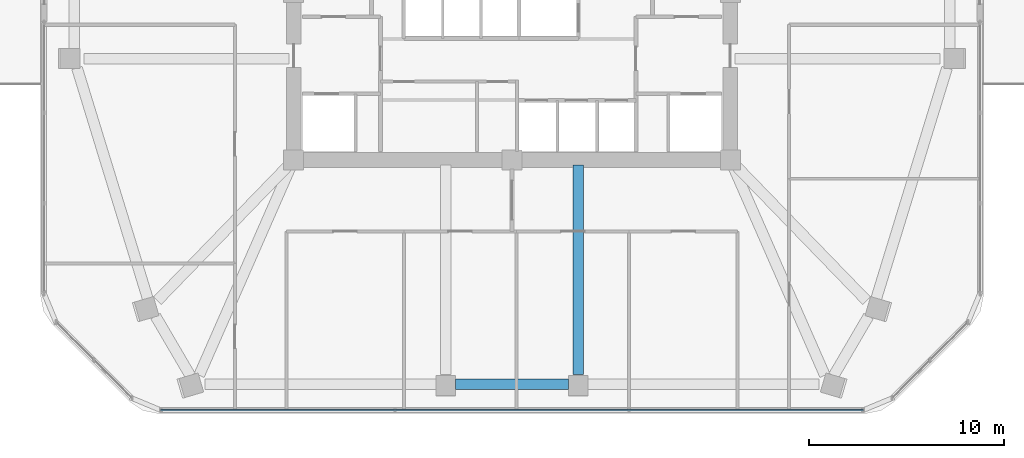
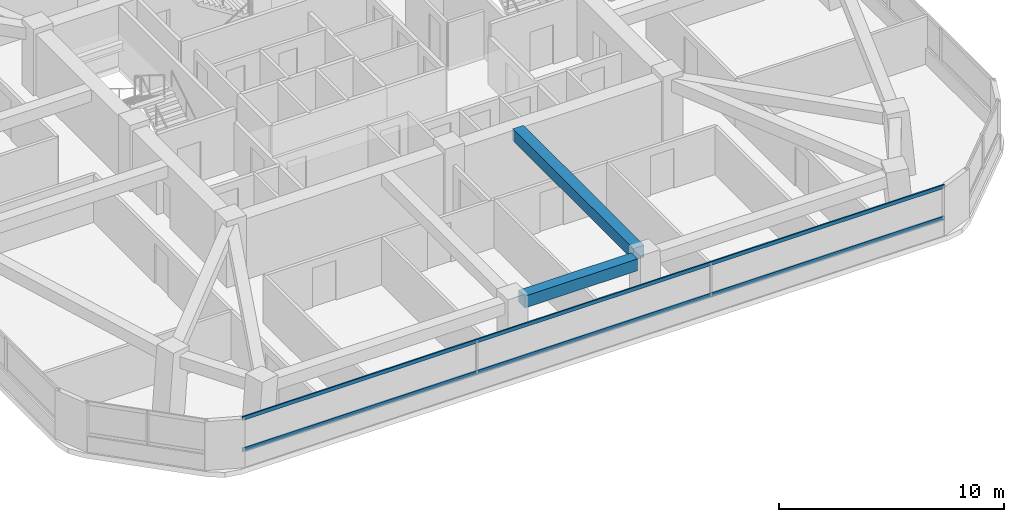
# One storey, part 3 of 14: 2 beams, 2 members, 1 element without a shape of its own.
"""IFC4 building model written with IfcOpenShell, lengths in metres."""

from ifc_helpers import new_model, si_unit, derived_unit, direction, frame, origin, origin_2d, place, context, subcontext, project, spatial, rectangle, extrude, material, material_profile, profile_set, type_object, element, aggregate, save


model = new_model("IFC4")

# Units and contexts
model_context = context("Model", 3, precision=1e-05, world=origin(), true_north=direction((0.0, 1.0)))
body_context = subcontext(model_context, "Body", "Model", "MODEL_VIEW")
ifc_project = project(units=[si_unit("LENGTHUNIT", "METRE"), si_unit("AREAUNIT", "SQUARE_METRE"), si_unit("VOLUMEUNIT", "CUBIC_METRE"), si_unit("PLANEANGLEUNIT", "RADIAN"), si_unit("MASSUNIT", "GRAM", prefix="KILO"), derived_unit("THERMALTRANSMITTANCEUNIT", [(si_unit("POWERUNIT", "WATT"), 1), (si_unit("LENGTHUNIT", "METRE"), -2), (si_unit("THERMODYNAMICTEMPERATUREUNIT", "KELVIN"), -1)])], contexts=[model_context])

# Site, building, storey
site_placement = place(None, origin())
site = spatial("IfcSite", under=ifc_project, at=site_placement, CompositionType="ELEMENT")
building_placement = place(site_placement, origin())
building = spatial("IfcBuilding", under=site, at=building_placement, Name="Koralith Skygarden Medical Center", CompositionType="ELEMENT")
storey_placement = place(building_placement, frame((0.0, 0.0, 120.780029296875)))
storey = spatial("IfcBuildingStorey", under=building, at=storey_placement, Name="L31", CompositionType="ELEMENT", Elevation=120.780029296875)

# Curtain wall, members
ifc_material_1 = material(Name="Clear Laminated Glass", Category="glass")
curtain_wall_type = type_object("IfcCurtainWallType", Name="CW-3 Zone 2 Faceted Solar Curtain Wall", PredefinedType="NOTDEFINED", material=ifc_material_1)
curtain_wall_placement = place(storey_placement, origin())
curtain_wall = element("IfcCurtainWall", 1, at=curtain_wall_placement, inside=storey, type_object=curtain_wall_type, Name="Curtain Wall CW-L31-S", PredefinedType="NOTDEFINED")
ifc_material_2 = material(Name="Aluminium 6063-T6", Category="aluminium")
ifc_material_profile_1 = material_profile(ifc_material_2, rectangle(XDim=0.069091796875, YDim=0.197998046875, at=origin_2d()), Name="TRN69X198")
ifc_profile_set_1 = profile_set([ifc_material_profile_1], Name="Aluminium 6063-T6")
member_type = type_object("IfcMemberType", Name="CW-3 Thermal Transom 69x198", PredefinedType="USERDEFINED", material=ifc_profile_set_1)
member_1_placement = place(storey_placement, frame((18.97607421875, 4.47607421875, 0.89990234375), z_axis=(1.0, 0.0, 0.0), x_axis=(0.0, 1.0, 0.0)))
member_1 = element("IfcMember", 2, at=member_1_placement, type_object=member_type, Name="CW-L31-S Transom 1", ObjectType="TRANSOM", PredefinedType="USERDEFINED", context=body_context, shape_type="SweptSolid", body=[
    extrude(rectangle(XDim=0.069091796875, YDim=0.197998046875, at=origin_2d()), origin(), (0.0, 0.0, 1.0), 36.0478515625),
])
member_2_placement = place(storey_placement, frame((18.97607421875, 4.47607421875, 2.599853515625), z_axis=(1.0, 0.0, 0.0), x_axis=(0.0, 1.0, 0.0)))
member_2 = element("IfcMember", 3, at=member_2_placement, type_object=member_type, Name="CW-L31-S Transom 2", ObjectType="TRANSOM", PredefinedType="USERDEFINED", context=body_context, shape_type="SweptSolid", body=[
    extrude(rectangle(XDim=0.069091796875, YDim=0.197998046875, at=origin_2d()), origin(), (0.0, 0.0, 1.0), 36.0478515625),
])
aggregate(curtain_wall, [member_1, member_2])

# Beams
ifc_material_3 = material(Name="Concrete C45/55", Category="concrete")
ifc_material_profile_2 = material_profile(ifc_material_3, rectangle(XDim=0.550048828125, YDim=0.639892578125, at=origin_2d()), Name="RCB550X640")
ifc_profile_set_2 = profile_set([ifc_material_profile_2], Name="Concrete C45/55")
beam_type_1 = type_object("IfcBeamType", Name="Radial Collector Beam RCB550X640", PredefinedType="BEAM", material=ifc_profile_set_2)
beam_1_placement = place(storey_placement, frame((40.39990234375, 17.050048828125, 2.97998046875), z_axis=(0.0, -1.0, 0.0), x_axis=(1.0, 0.0, 0.0)))
element("IfcBeam", 4, at=beam_1_placement, inside=storey, type_object=beam_type_1, Name="L31 Radial Collector Beam RB-05", PredefinedType="BEAM", context=body_context, shape_type="SweptSolid", body=[
    extrude(rectangle(XDim=0.550048828125, YDim=0.639892578125, at=origin_2d()), origin(), (0.0, 0.0, 1.0), 10.7451171875),
])
ifc_material_profile_3 = material_profile(ifc_material_3, rectangle(XDim=0.550048828125, YDim=0.639892578125, at=origin_2d()), Name="RCB550X640")
ifc_profile_set_3 = profile_set([ifc_material_profile_3], Name="Concrete C45/55")
beam_type_2 = type_object("IfcBeamType", Name="Zone 2-3 Spandrel Beam RCB550X640", PredefinedType="SPANDREL", material=ifc_profile_set_3)
beam_2_placement = place(storey_placement, frame((34.10009765625, 5.804931640625, 2.97998046875), z_axis=(1.0, 0.0, 0.0), x_axis=(0.0, 1.0, 0.0)))
element("IfcBeam", 5, at=beam_2_placement, inside=storey, type_object=beam_type_2, Name="L31 Perimeter Spandrel Beam SP-04", PredefinedType="SPANDREL", context=body_context, shape_type="SweptSolid", body=[
    extrude(rectangle(XDim=0.550048828125, YDim=0.639892578125, at=origin_2d()), origin(), (0.0, 0.0, 1.0), 5.7998046875),
])

save(model, "model.ifc")
